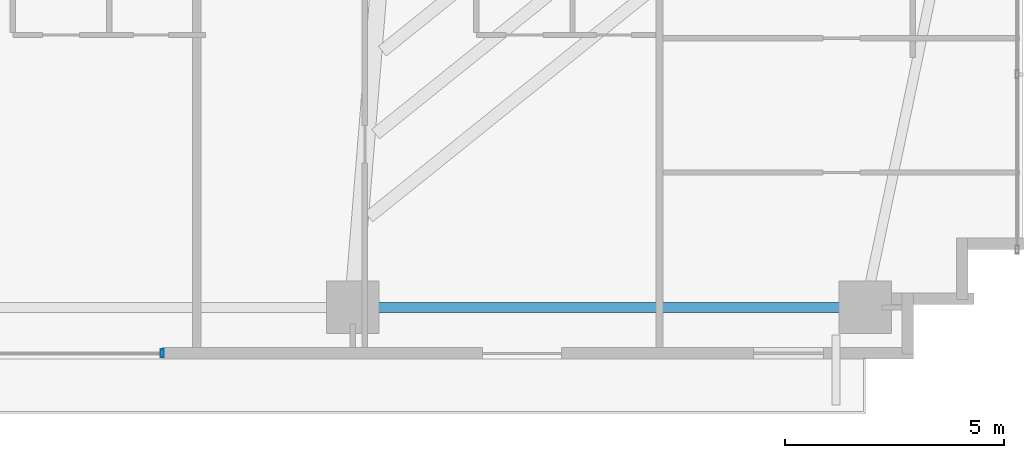
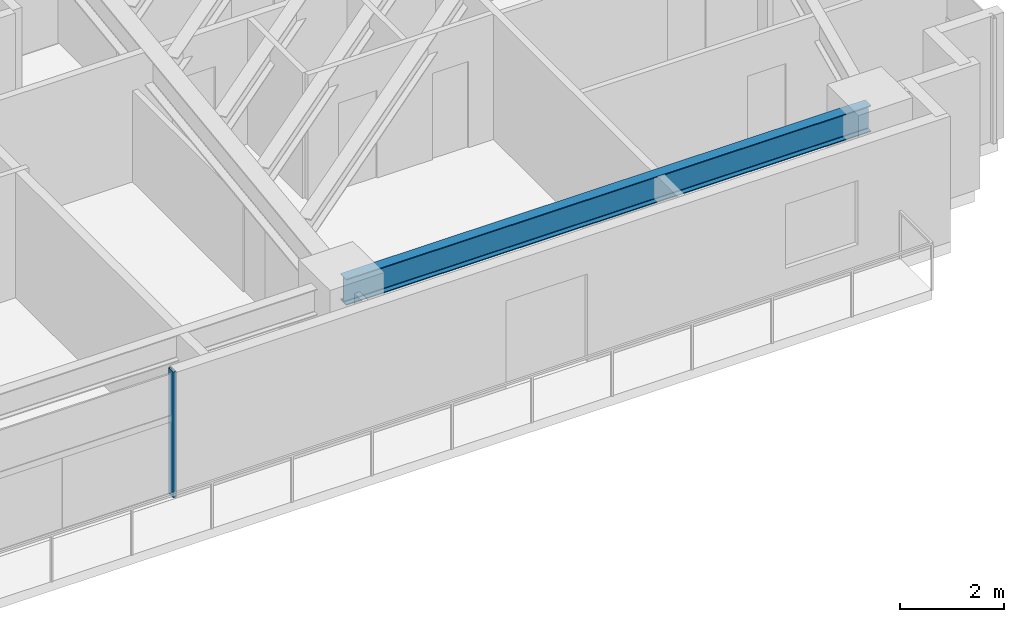
# One storey, part 12 of 25: 1 beam, 1 member, 1 element without a shape of its own.
"""IFC4 building model written with IfcOpenShell, lengths in metres."""

from ifc_helpers import new_model, si_unit, direction, frame, origin, origin_2d, place, context, subcontext, project, spatial, hollow_rectangle, i_section, extrude, source, transform, mapped, material, material_profile, profile_set, type_object, type_shapes, element, aggregate, save


model = new_model("IFC4")

# Units and contexts
model_context = context("Model", 3, precision=1e-05, world=origin(), true_north=direction((0.0, 1.0)))
body_context = subcontext(model_context, "Body", "Model", "MODEL_VIEW")
ifc_project = project(units=[si_unit("LENGTHUNIT", "METRE"), si_unit("AREAUNIT", "SQUARE_METRE"), si_unit("VOLUMEUNIT", "CUBIC_METRE"), si_unit("PLANEANGLEUNIT", "RADIAN"), si_unit("MASSUNIT", "GRAM", prefix="KILO")], contexts=[model_context])

# Site, building, storey
site_placement = place(None, origin())
site = spatial("IfcSite", under=ifc_project, at=site_placement, CompositionType="ELEMENT")
building_placement = place(site_placement, origin())
building = spatial("IfcBuilding", under=site, at=building_placement, Name="Astriad Promenade Condominiums", CompositionType="ELEMENT")
storey_placement = place(building_placement, frame((0.0, 0.0, 51.800048828125)))
storey = spatial("IfcBuildingStorey", under=building, at=storey_placement, Name="L14", CompositionType="ELEMENT", Elevation=51.800048828125)

# Beam
ifc_material_1 = material(Name="Steel ASTM A992 Grade 50", Category="steel")
ifc_material_profile_1 = material_profile(ifc_material_1, i_section(OverallWidth=0.22900390625, OverallDepth=0.612060546875, WebThickness=0.011962890625, FlangeThickness=0.01953125, FilletRadius=0.017822265625, at=origin_2d()), Name="W24X84")
ifc_profile_set_1 = profile_set([ifc_material_profile_1], Name="Steel ASTM A992 Grade 50")
beam_type = type_object("IfcBeamType", Name="STEEL SPANDREL BEAM W24X84", PredefinedType="SPANDREL", material=ifc_profile_set_1)
shared_shape_1 = source(origin(), body_context, "Body", "SweptSolid", [
    extrude(i_section(OverallWidth=0.22900390625, OverallDepth=0.612060546875, WebThickness=0.011962890625, FlangeThickness=0.01953125, FilletRadius=0.017822265625, at=origin_2d()), origin(), (0.0, 0.0, 1.0), 11.619873046875),
])
type_shapes(beam_type, [shared_shape_1])
beam_placement = place(storey_placement, frame((44.5400390625, 3.8798828125, 2.634033203125), z_axis=(1.0, 0.0, 0.0), x_axis=(0.0, 1.0, 0.0)))
element("IfcBeam", 1, at=beam_placement, inside=storey, type_object=beam_type, Name="Perimeter Spandrel Beam SP-S4-L14", PredefinedType="SPANDREL", context=body_context, shape_type="MappedRepresentation", body=[
    mapped(shared_shape_1, transform((0.0, 0.0, 0.0), scale=1.0)),
])

# Curtain wall, member
ifc_material_2 = material(Name="Anodised aluminium Black Dark Glass Unitised", Category="aluminium")
curtain_wall_type = type_object("IfcCurtainWallType", Name="CW-B1-DARK", PredefinedType="USERDEFINED", material=ifc_material_2)
curtain_wall_placement = place(storey_placement, origin())
curtain_wall = element("IfcCurtainWall", 2, at=curtain_wall_placement, inside=storey, type_object=curtain_wall_type, Name="CW-L14-S", ObjectType="UNITISED_CURTAIN_WALL", PredefinedType="USERDEFINED")
ifc_material_3 = material(Name="Anodised aluminium 6063-T6 Black", Category="aluminium")
ifc_material_profile_2 = material_profile(ifc_material_3, hollow_rectangle(XDim=0.074951171875, YDim=0.18505859375, WallThickness=0.00439453125, at=origin_2d()), Name="ALU-MUL-75X185")
ifc_profile_set_2 = profile_set([ifc_material_profile_2], Name="Anodised aluminium 6063-T6 Black")
member_type = type_object("IfcMemberType", Name="MUL-ALU-MUL-75X185", PredefinedType="MULLION", material=ifc_profile_set_2)
shared_shape_2 = source(origin(), body_context, "Body", "SweptSolid", [
    extrude(hollow_rectangle(XDim=0.074951171875, YDim=0.18505859375, WallThickness=0.00439453125, at=origin_2d()), origin(), (0.0, 0.0, 1.0), 2.93994140625),
])
type_shapes(member_type, [shared_shape_2])
member_placement = place(storey_placement, frame((40.14990234375, 2.830078125, 0.0), z_axis=(0.0, 0.0, 1.0), x_axis=(1.0, 0.0, 0.0)))
member = element("IfcMember", 3, at=member_placement, type_object=member_type, Name="CW-L14-S-MUL-00", PredefinedType="MULLION", context=body_context, shape_type="MappedRepresentation", body=[
    mapped(shared_shape_2, transform((0.0, 0.0, 0.0), scale=1.0)),
])
aggregate(curtain_wall, [member])

save(model, "model.ifc")
